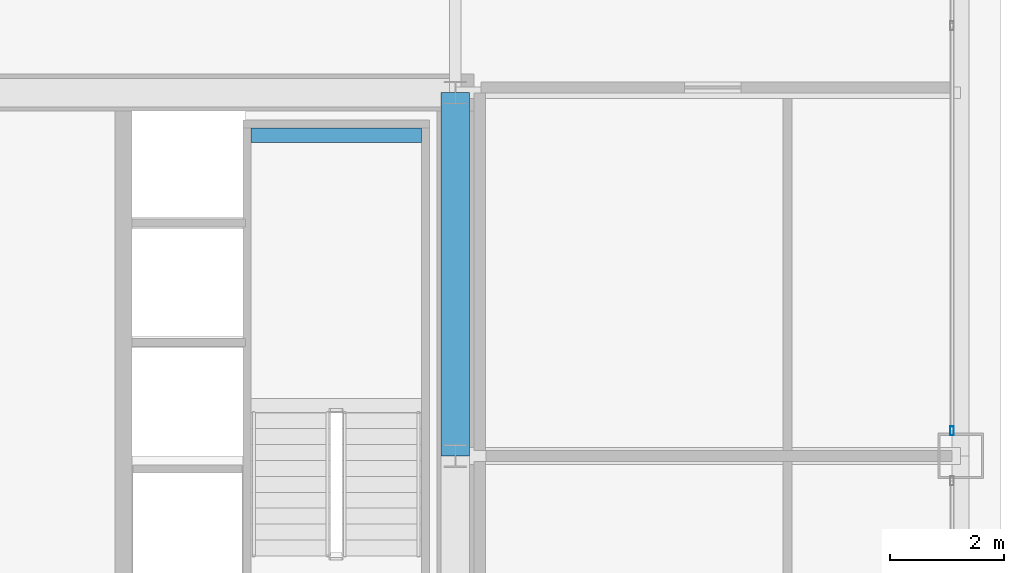
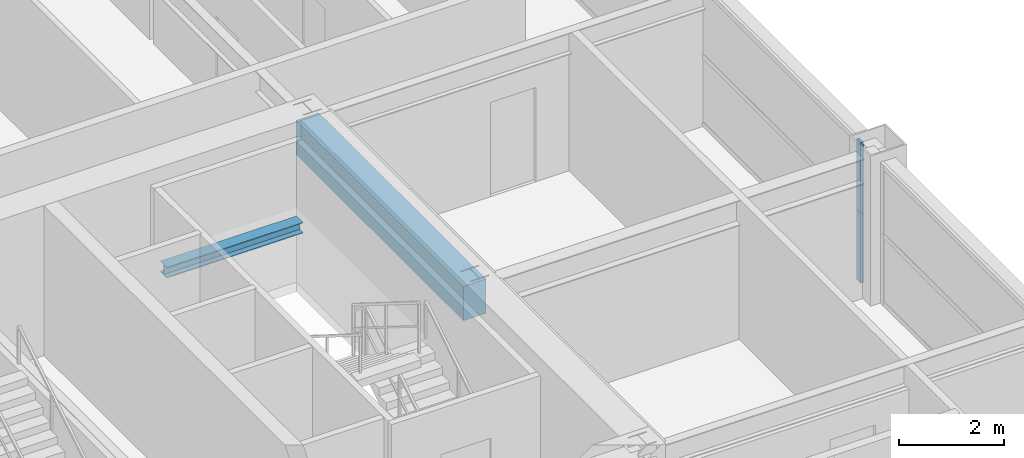
# One storey, part 22 of 42: 2 beams, 2 members, 1 element without a shape of its own.
"""IFC4 building model written with IfcOpenShell, lengths in metres."""

from ifc_helpers import new_model, si_unit, direction, frame, origin, origin_2d, place, context, subcontext, project, spatial, rectangle, hollow_rectangle, i_section, extrude, source, transform, mapped, material, layer, layer_set, material_profile, profile_set, type_object, element, aggregate, save


model = new_model("IFC4")

# Units and contexts
model_context = context("Model", 3, precision=1e-05, world=origin(), true_north=direction((0.0, 1.0)))
body_context = subcontext(model_context, "Body", "Model", "MODEL_VIEW")
ifc_project = project(units=[si_unit("LENGTHUNIT", "METRE"), si_unit("AREAUNIT", "SQUARE_METRE"), si_unit("VOLUMEUNIT", "CUBIC_METRE"), si_unit("PLANEANGLEUNIT", "RADIAN"), si_unit("MASSUNIT", "GRAM", prefix="KILO"), si_unit("THERMODYNAMICTEMPERATUREUNIT", "KELVIN"), si_unit("POWERUNIT", "WATT")], contexts=[model_context])

# Site, building, storey
site_placement = place(None, origin())
site = spatial("IfcSite", under=ifc_project, at=site_placement, CompositionType="ELEMENT")
building_placement = place(site_placement, origin())
building = spatial("IfcBuilding", under=site, at=building_placement, Name="Yuzanri Waterfront Tower", CompositionType="ELEMENT")
storey_placement = place(building_placement, frame((0.0, 0.0, 205.5)))
storey = spatial("IfcBuildingStorey", under=building, at=storey_placement, Name="L54", CompositionType="ELEMENT", Elevation=205.5)

# Beam
ifc_material_1 = material(Name="Concrete C50", Category="concrete")
ifc_material_profile_1 = material_profile(ifc_material_1, rectangle(XDim=0.5, YDim=0.800048828125, at=origin_2d()), Name="RC 500x800")
ifc_profile_set_1 = profile_set([ifc_material_profile_1], Name="Concrete C50")
beam_type_1 = type_object("IfcBeamType", Name="Core Coupling Lintel Concrete C50 500x800", PredefinedType="LINTEL", material=ifc_profile_set_1)
shared_shape_1 = source(origin(), body_context, "Body", "SweptSolid", [
    extrude(rectangle(XDim=0.5, YDim=0.800048828125, at=origin_2d()), origin(), (0.0, 0.0, 1.0), 6.39990234375),
])
beam_1_placement = place(storey_placement, frame((50.199951171875, 25.800048828125, 2.8798828125), z_axis=(0.0, 1.0, 0.0), x_axis=(-1.0, 0.0, 0.0)))
element("IfcBeam", 1, at=beam_1_placement, inside=storey, type_object=beam_type_1, Name="L54 Core Tie Beam CE2", PredefinedType="LINTEL", context=body_context, shape_type="MappedRepresentation", body=[
    mapped(shared_shape_1, transform((0.0, 0.0, 0.0), scale=1.0)),
])

# Curtain wall, members
ifc_material_2 = material(Name="Anodized Architectural Bronze", Category="metal")
ifc_layer = layer(ifc_material_2, 0.159912109375)
ifc_layer_set = layer_set([ifc_layer], Name="Anodized Architectural Bronze")
curtain_wall_type = type_object("IfcCurtainWallType", Name="Anodized Bronze Mid-Rise Residential Acoustic Unitized Curtain Wall 7200", PredefinedType="NOTDEFINED", material=ifc_layer_set)
curtain_wall_placement = place(storey_placement, origin())
curtain_wall = element("IfcCurtainWall", 2, at=curtain_wall_placement, inside=storey, type_object=curtain_wall_type, Name="L54 Curtain Wall CW-L54-ER", PredefinedType="NOTDEFINED")
ifc_material_3 = material(Name="Anodized Architectural Bronze", Category="metal")
ifc_material_profile_2 = material_profile(ifc_material_3, hollow_rectangle(XDim=0.06494140625, YDim=0.159912109375, WallThickness=0.00341796875, at=origin_2d()), Name="CWM 65x160")
ifc_profile_set_2 = profile_set([ifc_material_profile_2], Name="Anodized Architectural Bronze")
member_type = type_object("IfcMemberType", Name="Anodized Bronze Upper-Zone Curtain-Wall Mullion 65x160", PredefinedType="MULLION", material=ifc_profile_set_2)
shared_shape_2 = source(origin(), body_context, "Body", "SweptSolid", [
    extrude(hollow_rectangle(XDim=0.06494140625, YDim=0.159912109375, WallThickness=0.00341796875, at=origin_2d()), origin(), (0.0, 0.0, 1.0), 1.637939453125),
])
member_1_placement = place(storey_placement, frame((58.949951171875, 26.239990234375, 0.0), z_axis=(0.0, 0.0, 1.0), x_axis=(1.0, 0.0, 0.0)))
member_1 = element("IfcMember", 3, at=member_1_placement, type_object=member_type, Name="CW-L54-ER Lower Mullion 00", PredefinedType="MULLION", context=body_context, shape_type="MappedRepresentation", body=[
    mapped(shared_shape_2, transform((0.0, 0.0, 0.0), scale=1.0)),
])
member_2_placement = place(storey_placement, frame((58.949951171875, 26.239990234375, 1.64208984375), z_axis=(0.0, 0.0, 1.0), x_axis=(1.0, 0.0, 0.0)))
member_2 = element("IfcMember", 4, at=member_2_placement, type_object=member_type, Name="CW-L54-ER Upper Mullion 00", PredefinedType="MULLION", context=body_context, shape_type="MappedRepresentation", body=[
    mapped(shared_shape_2, transform((0.0, 0.0, 0.0), scale=1.0)),
])
aggregate(curtain_wall, [member_1, member_2])

# Beam
ifc_material_4 = material(Name="Steel Q355B", Category="steel")
ifc_material_profile_3 = material_profile(ifc_material_4, i_section(OverallWidth=0.25, OverallDepth=0.25, WebThickness=0.009033203125, FlangeThickness=0.013916015625, at=origin_2d()), Name="HW 250x250x9x14")
ifc_profile_set_3 = profile_set([ifc_material_profile_3], Name="Steel Q355B")
beam_type_2 = type_object("IfcBeamType", Name="Stair Landing Support Beam Q355B HW 250x250", PredefinedType="BEAM", material=ifc_profile_set_3)
shared_shape_3 = source(origin(), body_context, "Body", "SweptSolid", [
    extrude(i_section(OverallWidth=0.25, OverallDepth=0.25, WebThickness=0.009033203125, FlangeThickness=0.013916015625, at=origin_2d()), origin(), (0.0, 0.0, 1.0), 3.0),
])
beam_2_placement = place(storey_placement, frame((46.60009765625, 31.449951171875, 1.425048828125), z_axis=(1.0, 0.0, 0.0), x_axis=(0.0, 1.0, 0.0)))
element("IfcBeam", 5, at=beam_2_placement, inside=storey, type_object=beam_type_2, Name="L54 Stair Landing Support Beam ST-02-L54-L1-2", PredefinedType="BEAM", context=body_context, shape_type="MappedRepresentation", body=[
    mapped(shared_shape_3, transform((0.0, 0.0, 0.0), scale=1.0)),
])

save(model, "model.ifc")
